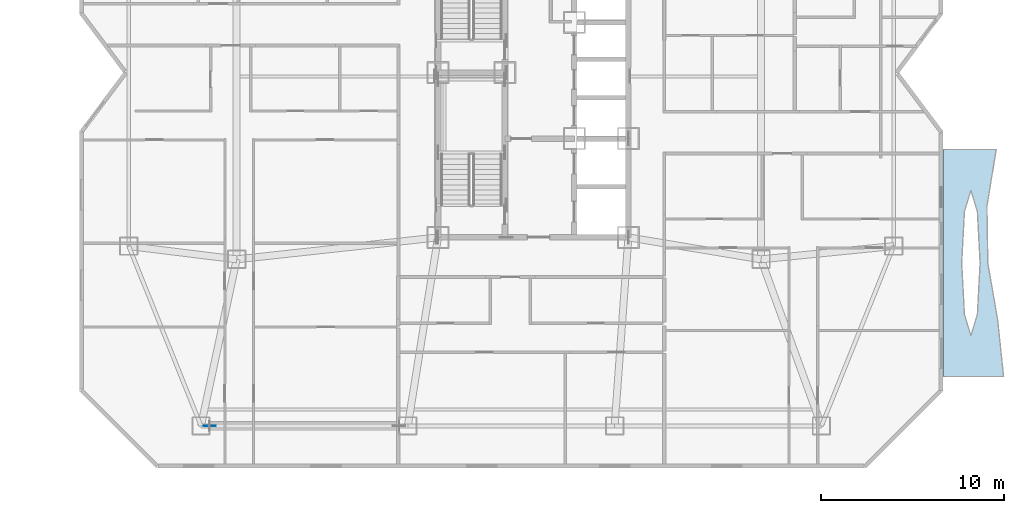
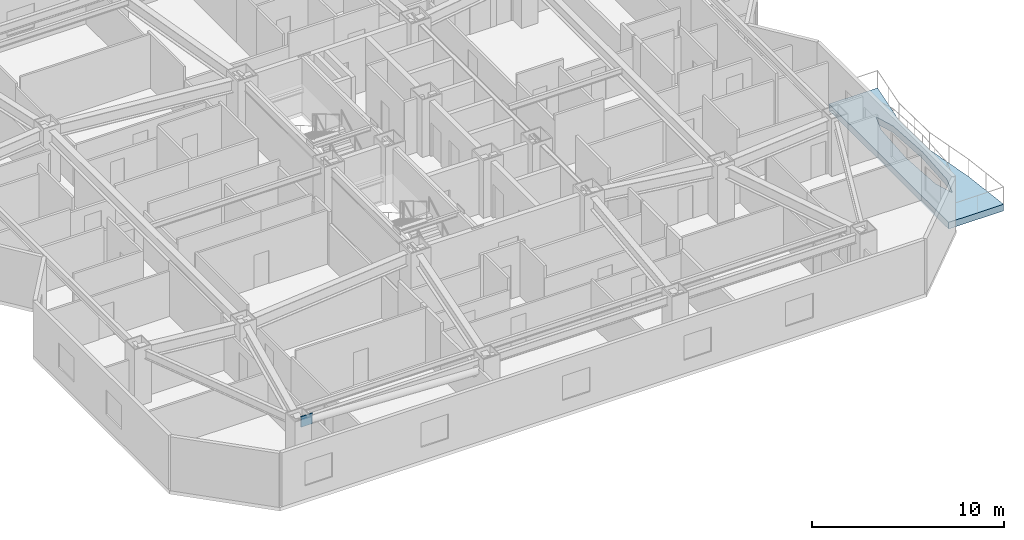
# One storey, part 4 of 14: 1 plate, 1 slab.
"""IFC4 building model written with IfcOpenShell, lengths in metres."""

from ifc_helpers import new_model, si_unit, direction, frame, origin, origin_2d, place, context, subcontext, project, spatial, polyline, rectangle, outline, extrude, material, layer, layer_set, type_object, element, save


model = new_model("IFC4")

# Units and contexts
model_context = context("Model", 3, precision=1e-05, world=origin(), true_north=direction((0.0, 1.0)))
body_context = subcontext(model_context, "Body", "Model", "MODEL_VIEW")
ifc_project = project(units=[si_unit("LENGTHUNIT", "METRE"), si_unit("AREAUNIT", "SQUARE_METRE"), si_unit("VOLUMEUNIT", "CUBIC_METRE"), si_unit("PLANEANGLEUNIT", "RADIAN"), si_unit("MASSUNIT", "GRAM", prefix="KILO")], contexts=[model_context])

# Site, building, storey
site_placement = place(None, origin())
site = spatial("IfcSite", under=ifc_project, at=site_placement, CompositionType="ELEMENT")
building_placement = place(site_placement, origin())
building = spatial("IfcBuilding", under=site, at=building_placement, Name="Khamvora Tower", CompositionType="ELEMENT")
storey_placement = place(building_placement, frame((0.0, 0.0, 123.800048828125)))
storey = spatial("IfcBuildingStorey", under=building, at=storey_placement, Name="L31", CompositionType="ELEMENT", Elevation=123.800048828125)

# Plate
ifc_material_1 = material(Name="Steel S460", Category="steel")
ifc_layer_1 = layer(ifc_material_1, 0.0400390625)
ifc_layer_set_1 = layer_set([ifc_layer_1], Name="Steel S460")
plate_type = type_object("IfcPlateType", Name="PLT-GUS-40", PredefinedType="SHEET", material=ifc_layer_set_1)
plate_placement = place(storey_placement, frame((16.530029296875, 8.699951171875, 2.8017578125), z_axis=(0.0, 0.0, 1.0), x_axis=(1.0, 0.0, 0.0)))
element("IfcPlate", 1, at=plate_placement, inside=storey, type_object=plate_type, Name="L31 brace connection node gusset plate 0202", PredefinedType="SHEET", context=body_context, shape_type="SweptSolid", body=[
    extrude(rectangle(XDim=0.679931640625, YDim=0.0400390625, at=origin_2d()), origin(), (0.0, 0.0, 1.0), 0.679931640625),
])

# Slab
ifc_material_2 = material(Name="Concrete C40/50", Category="concrete")
ifc_layer_2 = layer(ifc_material_2, 0.419921875)
ifc_layer_set_2 = layer_set([ifc_layer_2], Name="Concrete C40/50")
slab_type = type_object("IfcSlabType", Name="SLB-GRD-420", PredefinedType="FLOOR", material=ifc_layer_set_2)
slab_placement = place(storey_placement, frame((0.0, 0.0, -0.420166015625)))
element("IfcSlab", 2, at=slab_placement, inside=storey, type_object=slab_type, Name="L31 external lens gallery slab EL1", PredefinedType="FLOOR", context=body_context, shape_type="SweptSolid", body=[
    extrude(outline(polyline([(59.89990234375, 11.39990234375), (59.574951171875, 14.5), (59.037109375, 17.60009765625), (58.990966796875, 20.699951171875), (59.49609375, 23.800048828125), (56.60009765625, 23.800048828125), (56.60009765625, 11.39990234375), (59.89990234375, 11.39990234375)]), holes=[polyline([(58.618896484375, 17.60009765625), (58.470947265625, 20.406005859375), (58.114990234375, 21.568115234375), (57.759033203125, 20.406005859375), (57.611083984375, 17.60009765625), (57.759033203125, 14.7939453125), (58.114990234375, 13.632080078125), (58.470947265625, 14.7939453125), (58.618896484375, 17.60009765625)])]), origin(), (0.0, 0.0, 1.0), 0.420166015625),
])

save(model, "model.ifc")
